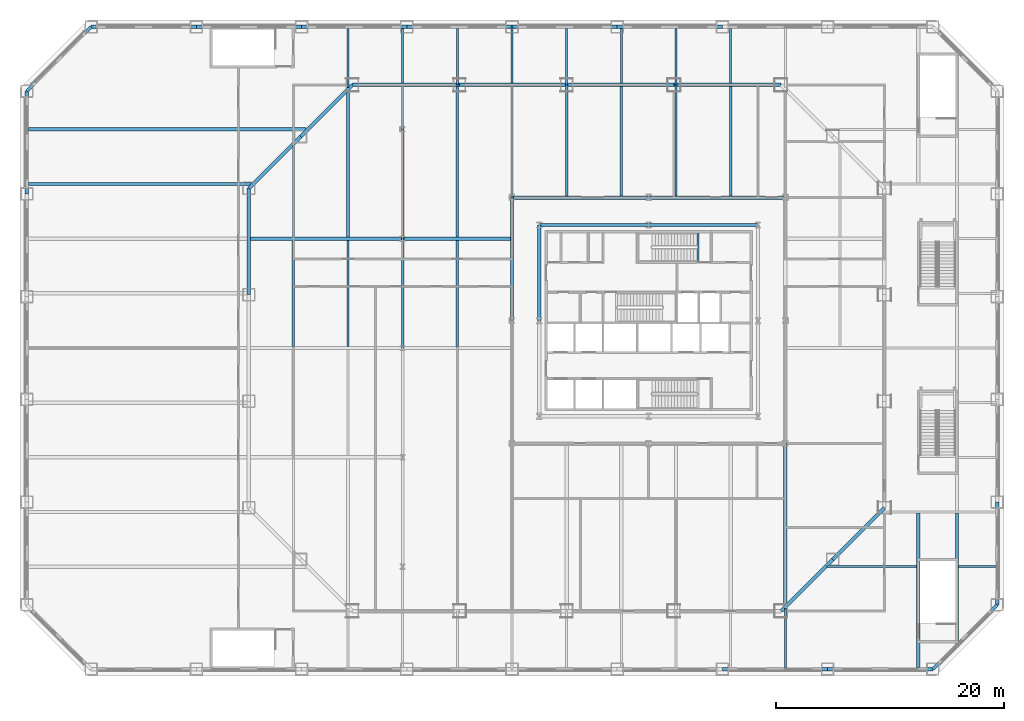
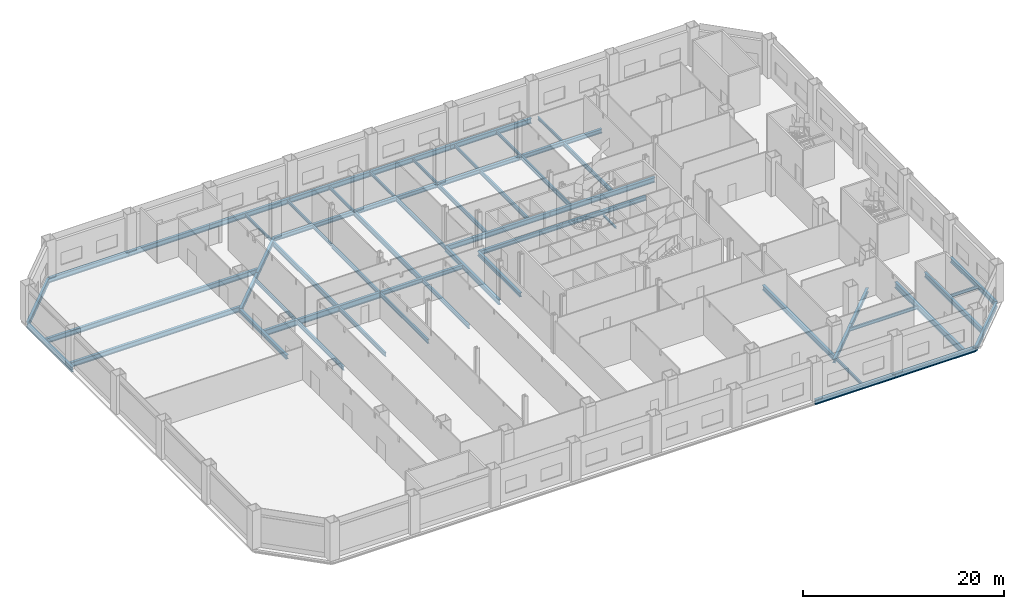
# One storey, part 6 of 22: 60 beams.
"""IFC4 building model written with IfcOpenShell, lengths in metres."""

from ifc_helpers import new_model, si_unit, direction, frame, origin, origin_2d, place, context, subcontext, project, spatial, i_section, extrude, material, material_profile, profile_set, type_object, element, save


model = new_model("IFC4")

# Units and contexts
model_context = context("Model", 3, precision=1e-05, world=origin(), true_north=direction((0.0, 1.0)))
body_context = subcontext(model_context, "Body", "Model", "MODEL_VIEW")
ifc_project = project(units=[si_unit("LENGTHUNIT", "METRE"), si_unit("AREAUNIT", "SQUARE_METRE"), si_unit("VOLUMEUNIT", "CUBIC_METRE"), si_unit("PLANEANGLEUNIT", "RADIAN"), si_unit("MASSUNIT", "GRAM", prefix="KILO")], contexts=[model_context])

# Site, building, storey
site_placement = place(None, origin())
site = spatial("IfcSite", under=ifc_project, at=site_placement, CompositionType="ELEMENT")
building_placement = place(site_placement, origin())
building = spatial("IfcBuilding", under=site, at=building_placement, Name="Cairn Pilgrim Tower", CompositionType="ELEMENT")
storey_placement = place(building_placement, frame((0.0, 0.0, 35.39990234375)))
storey = spatial("IfcBuildingStorey", under=building, at=storey_placement, Name="L06", CompositionType="ELEMENT", Elevation=35.39990234375)

# Beams
ifc_material = material(Name="Structural steel S355J2", Category="steel")
ifc_material_profile_1 = material_profile(ifc_material, i_section(OverallWidth=0.300048828125, OverallDepth=0.60009765625, WebThickness=0.015380859375, FlangeThickness=0.030029296875, FilletRadius=0.027099609375, at=origin_2d()), Name="HEB 600")
ifc_profile_set_1 = profile_set([ifc_material_profile_1], Name="Structural steel S355J2")
beam_type_1 = type_object("IfcBeamType", Name="PODIUM BEAM HE 600 B", PredefinedType="BEAM", material=ifc_profile_set_1)
beam_1_placement = place(storey_placement, frame((19.199951171875, -22.5751953125, -0.5), z_axis=(0.0, 1.0, 0.0), x_axis=(-1.0, 0.0, 0.0)))
element("IfcBeam", 1, at=beam_1_placement, inside=storey, type_object=beam_type_1, Name="PODIUM BEAM PB-HE600B", PredefinedType="BEAM", context=body_context, shape_type="SweptSolid", body=[
    extrude(i_section(OverallWidth=0.300048828125, OverallDepth=0.60009765625, WebThickness=0.015380859375, FlangeThickness=0.030029296875, FilletRadius=0.027099609375, at=origin_2d()), origin(), (0.0, 0.0, 1.0), 14.17529296875),
])
beam_2_placement = place(storey_placement, frame((-47.248046875, 14.39990234375, -0.5), z_axis=(1.0, 0.0, 0.0), x_axis=(0.0, 1.0, 0.0)))
element("IfcBeam", 2, at=beam_2_placement, inside=storey, type_object=beam_type_1, Name="PODIUM BEAM PB-HE600B", PredefinedType="BEAM", context=body_context, shape_type="SweptSolid", body=[
    extrude(i_section(OverallWidth=0.300048828125, OverallDepth=0.60009765625, WebThickness=0.015380859375, FlangeThickness=0.030029296875, FilletRadius=0.027099609375, at=origin_2d()), origin(), (0.0, 0.0, 1.0), 19.56884765625),
])
beam_3_placement = place(storey_placement, frame((-47.248046875, 19.199951171875, -0.5), z_axis=(1.0, 0.0, 0.0), x_axis=(0.0, 1.0, 0.0)))
element("IfcBeam", 3, at=beam_3_placement, inside=storey, type_object=beam_type_1, Name="PODIUM BEAM PB-HE600B", PredefinedType="BEAM", context=body_context, shape_type="SweptSolid", body=[
    extrude(i_section(OverallWidth=0.300048828125, OverallDepth=0.60009765625, WebThickness=0.015380859375, FlangeThickness=0.030029296875, FilletRadius=0.027099609375, at=origin_2d()), origin(), (0.0, 0.0, 1.0), 24.368896484375),
])
ifc_material_profile_2 = material_profile(ifc_material, i_section(OverallWidth=0.169921875, OverallDepth=0.360107421875, WebThickness=0.008056640625, FlangeThickness=0.0126953125, FilletRadius=0.01806640625, at=origin_2d()), Name="IPE 360")
ifc_profile_set_2 = profile_set([ifc_material_profile_2], Name="Structural steel S355J2")
beam_type_2 = type_object("IfcBeamType", Name="PODIUM BEAM IPE 360", PredefinedType="BEAM", material=ifc_profile_set_2)
beam_4_placement = place(storey_placement, frame((-14.39990234375, 19.199951171875, -0.3798828125), z_axis=(0.0, 1.0, 0.0), x_axis=(-1.0, 0.0, 0.0)))
element("IfcBeam", 4, at=beam_4_placement, inside=storey, type_object=beam_type_2, Name="PODIUM BEAM PB-IPE360", PredefinedType="BEAM", context=body_context, shape_type="SweptSolid", body=[
    extrude(i_section(OverallWidth=0.169921875, OverallDepth=0.360107421875, WebThickness=0.008056640625, FlangeThickness=0.0126953125, FilletRadius=0.01806640625, at=origin_2d()), origin(), (0.0, 0.0, 1.0), 3.748046875),
])
beam_5_placement = place(storey_placement, frame((34.422119140625, -19.199951171875, -0.3798828125), z_axis=(1.0, 0.0, 0.0), x_axis=(0.0, 1.0, 0.0)))
element("IfcBeam", 5, at=beam_5_placement, inside=storey, type_object=beam_type_2, Name="PODIUM BEAM PB-IPE360", PredefinedType="BEAM", context=body_context, shape_type="SweptSolid", body=[
    extrude(i_section(OverallWidth=0.169921875, OverallDepth=0.360107421875, WebThickness=0.008056640625, FlangeThickness=0.0126953125, FilletRadius=0.01806640625, at=origin_2d()), origin(), (0.0, 0.0, 1.0), 3.225830078125),
])
beam_6_placement = place(storey_placement, frame((-19.199951171875, 22.879150390625, -0.3798828125), z_axis=(0.0, 1.0, 0.0), x_axis=(-1.0, 0.0, 0.0)))
element("IfcBeam", 6, at=beam_6_placement, inside=storey, type_object=beam_type_2, Name="PODIUM BEAM PB-IPE360", PredefinedType="BEAM", context=body_context, shape_type="SweptSolid", body=[
    extrude(i_section(OverallWidth=0.169921875, OverallDepth=0.360107421875, WebThickness=0.008056640625, FlangeThickness=0.0126953125, FilletRadius=0.01806640625, at=origin_2d()), origin(), (0.0, 0.0, 1.0), 5.1689453125),
])
beam_7_placement = place(storey_placement, frame((-14.39990234375, 23.251953125, -0.3798828125), z_axis=(0.0, 1.0, 0.0), x_axis=(-1.0, 0.0, 0.0)))
element("IfcBeam", 7, at=beam_7_placement, inside=storey, type_object=beam_type_2, Name="PODIUM BEAM PB-IPE360", PredefinedType="BEAM", context=body_context, shape_type="SweptSolid", body=[
    extrude(i_section(OverallWidth=0.169921875, OverallDepth=0.360107421875, WebThickness=0.008056640625, FlangeThickness=0.0126953125, FilletRadius=0.01806640625, at=origin_2d()), origin(), (0.0, 0.0, 1.0), 4.796142578125),
])
for number, where, z_axis, x_axis, name in (
    (8, (-9.60009765625, 23.10009765625, -0.3798828125), (0.0, 1.0, 0.0), (-1.0, 0.0, 0.0), "PODIUM BEAM PB-IPE360"),
    (9, (-4.800048828125, 23.251953125, -0.3798828125), (0.0, 1.0, 0.0), (-1.0, 0.0, 0.0), "PODIUM BEAM PB-IPE360"),
    (10, (0.0, 23.10009765625, -0.3798828125), (0.0, 1.0, 0.0), (-1.0, 0.0, 0.0), "PODIUM BEAM PB-IPE360"),
):
    element("IfcBeam", number, at=place(storey_placement, frame(where, z_axis=z_axis, x_axis=x_axis)), inside=storey, type_object=beam_type_2, Name=name, PredefinedType="BEAM", context=body_context, shape_type="SweptSolid", body=[
        extrude(i_section(OverallWidth=0.169921875, OverallDepth=0.360107421875, WebThickness=0.008056640625, FlangeThickness=0.0126953125, FilletRadius=0.01806640625, at=origin_2d()), origin(), (0.0, 0.0, 1.0), 4.947998046875),
    ])
beam_8_placement = place(storey_placement, frame((4.800048828125, 23.251953125, -0.3798828125), z_axis=(0.0, 1.0, 0.0), x_axis=(-1.0, 0.0, 0.0)))
element("IfcBeam", 11, at=beam_8_placement, inside=storey, type_object=beam_type_2, Name="PODIUM BEAM PB-IPE360", PredefinedType="BEAM", context=body_context, shape_type="SweptSolid", body=[
    extrude(i_section(OverallWidth=0.169921875, OverallDepth=0.360107421875, WebThickness=0.008056640625, FlangeThickness=0.0126953125, FilletRadius=0.01806640625, at=origin_2d()), origin(), (0.0, 0.0, 1.0), 4.796142578125),
])
beam_9_placement = place(storey_placement, frame((9.60009765625, 23.10009765625, -0.3798828125), z_axis=(0.0, 1.0, 0.0), x_axis=(-1.0, 0.0, 0.0)))
element("IfcBeam", 12, at=beam_9_placement, inside=storey, type_object=beam_type_2, Name="PODIUM BEAM PB-IPE360", PredefinedType="BEAM", context=body_context, shape_type="SweptSolid", body=[
    extrude(i_section(OverallWidth=0.169921875, OverallDepth=0.360107421875, WebThickness=0.008056640625, FlangeThickness=0.0126953125, FilletRadius=0.01806640625, at=origin_2d()), origin(), (0.0, 0.0, 1.0), 4.947998046875),
])
beam_10_placement = place(storey_placement, frame((14.39990234375, 23.251953125, -0.3798828125), z_axis=(0.0, 1.0, 0.0), x_axis=(-1.0, 0.0, 0.0)))
element("IfcBeam", 13, at=beam_10_placement, inside=storey, type_object=beam_type_2, Name="PODIUM BEAM PB-IPE360", PredefinedType="BEAM", context=body_context, shape_type="SweptSolid", body=[
    extrude(i_section(OverallWidth=0.169921875, OverallDepth=0.360107421875, WebThickness=0.008056640625, FlangeThickness=0.0126953125, FilletRadius=0.01806640625, at=origin_2d()), origin(), (0.0, 0.0, 1.0), 4.796142578125),
])
beam_11_placement = place(storey_placement, frame((19.199951171875, -28.048095703125, -0.3798828125), z_axis=(0.0, 1.0, 0.0), x_axis=(-1.0, 0.0, 0.0)))
element("IfcBeam", 14, at=beam_11_placement, inside=storey, type_object=beam_type_2, Name="PODIUM BEAM PB-IPE360", PredefinedType="BEAM", context=body_context, shape_type="SweptSolid", body=[
    extrude(i_section(OverallWidth=0.169921875, OverallDepth=0.360107421875, WebThickness=0.008056640625, FlangeThickness=0.0126953125, FilletRadius=0.01806640625, at=origin_2d()), origin(), (0.0, 0.0, 1.0), 5.1689453125),
])
ifc_material_profile_3 = material_profile(ifc_material, i_section(OverallWidth=0.179931640625, OverallDepth=0.39990234375, WebThickness=0.008544921875, FlangeThickness=0.013427734375, FilletRadius=0.02099609375, at=origin_2d()), Name="IPE 400")
ifc_profile_set_3 = profile_set([ifc_material_profile_3], Name="Structural steel S355J2")
beam_type_3 = type_object("IfcBeamType", Name="PODIUM BEAM IPE 400", PredefinedType="BEAM", material=ifc_profile_set_3)
beam_12_placement = place(storey_placement, frame((-24.0, 9.751953125, -0.39990234375), z_axis=(0.0, 1.0, 0.0), x_axis=(-1.0, 0.0, 0.0)))
element("IfcBeam", 15, at=beam_12_placement, inside=storey, type_object=beam_type_3, Name="PODIUM BEAM PB-IPE400", PredefinedType="BEAM", context=body_context, shape_type="SweptSolid", body=[
    extrude(i_section(OverallWidth=0.179931640625, OverallDepth=0.39990234375, WebThickness=0.008544921875, FlangeThickness=0.013427734375, FilletRadius=0.02099609375, at=origin_2d()), origin(), (0.0, 0.0, 1.0), 8.023193359375),
])
beam_13_placement = place(storey_placement, frame((22.879150390625, -19.199951171875, -0.39990234375), z_axis=(1.0, 0.0, 0.0), x_axis=(0.0, 1.0, 0.0)))
element("IfcBeam", 16, at=beam_13_placement, inside=storey, type_object=beam_type_3, Name="PODIUM BEAM PB-IPE400", PredefinedType="BEAM", context=body_context, shape_type="SweptSolid", body=[
    extrude(i_section(OverallWidth=0.179931640625, OverallDepth=0.39990234375, WebThickness=0.008544921875, FlangeThickness=0.013427734375, FilletRadius=0.02099609375, at=origin_2d()), origin(), (0.0, 0.0, 1.0), 7.848876953125),
])
ifc_material_profile_4 = material_profile(ifc_material, i_section(OverallWidth=0.199951171875, OverallDepth=0.5, WebThickness=0.01025390625, FlangeThickness=0.01611328125, FilletRadius=0.02099609375, at=origin_2d()), Name="IPE 500")
ifc_profile_set_4 = profile_set([ifc_material_profile_4], Name="Structural steel S355J2")
beam_type_4 = type_object("IfcBeamType", Name="PODIUM BEAM IPE 500", PredefinedType="BEAM", material=ifc_profile_set_4)
for number, where, z_axis, x_axis, name in (
    (17, (-24.0, 0.152099609375, -0.449951171875), (0.0, 1.0, 0.0), (-1.0, 0.0, 0.0), "PODIUM BEAM PB-IPE500"),
    (18, (-19.199951171875, 0.152099609375, -0.449951171875), (0.0, 1.0, 0.0), (-1.0, 0.0, 0.0), "PODIUM BEAM PB-IPE500"),
):
    element("IfcBeam", number, at=place(storey_placement, frame(where, z_axis=z_axis, x_axis=x_axis)), inside=storey, type_object=beam_type_4, Name=name, PredefinedType="BEAM", context=body_context, shape_type="SweptSolid", body=[
        extrude(i_section(OverallWidth=0.199951171875, OverallDepth=0.5, WebThickness=0.01025390625, FlangeThickness=0.01611328125, FilletRadius=0.02099609375, at=origin_2d()), origin(), (0.0, 0.0, 1.0), 9.2958984375),
    ])
beam_14_placement = place(storey_placement, frame((-14.39990234375, 0.0, -0.449951171875), z_axis=(0.0, 1.0, 0.0), x_axis=(-1.0, 0.0, 0.0)))
element("IfcBeam", 19, at=beam_14_placement, inside=storey, type_object=beam_type_4, Name="PODIUM BEAM PB-IPE500", PredefinedType="BEAM", context=body_context, shape_type="SweptSolid", body=[
    extrude(i_section(OverallWidth=0.199951171875, OverallDepth=0.5, WebThickness=0.01025390625, FlangeThickness=0.01611328125, FilletRadius=0.02099609375, at=origin_2d()), origin(), (0.0, 0.0, 1.0), 9.60009765625),
])
beam_15_placement = place(storey_placement, frame((-14.39990234375, 9.60009765625, -0.449951171875), z_axis=(0.0, 1.0, 0.0), x_axis=(-1.0, 0.0, 0.0)))
element("IfcBeam", 20, at=beam_15_placement, inside=storey, type_object=beam_type_4, Name="PODIUM BEAM PB-IPE500", PredefinedType="BEAM", context=body_context, shape_type="SweptSolid", body=[
    extrude(i_section(OverallWidth=0.199951171875, OverallDepth=0.5, WebThickness=0.01025390625, FlangeThickness=0.01611328125, FilletRadius=0.02099609375, at=origin_2d()), origin(), (0.0, 0.0, 1.0), 9.599853515625),
])
beam_16_placement = place(storey_placement, frame((-9.60009765625, 0.152099609375, -0.449951171875), z_axis=(0.0, 1.0, 0.0), x_axis=(-1.0, 0.0, 0.0)))
element("IfcBeam", 21, at=beam_16_placement, inside=storey, type_object=beam_type_4, Name="PODIUM BEAM PB-IPE500", PredefinedType="BEAM", context=body_context, shape_type="SweptSolid", body=[
    extrude(i_section(OverallWidth=0.199951171875, OverallDepth=0.5, WebThickness=0.01025390625, FlangeThickness=0.01611328125, FilletRadius=0.02099609375, at=origin_2d()), origin(), (0.0, 0.0, 1.0), 9.2958984375),
])
for number, where, z_axis, x_axis, name in (
    (22, (-4.800048828125, 13.199951171875, -0.449951171875), (0.0, 1.0, 0.0), (-1.0, 0.0, 0.0), "PODIUM BEAM PB-IPE500"),
    (23, (0.0, 13.35205078125, -0.449951171875), (0.0, 1.0, 0.0), (-1.0, 0.0, 0.0), "PODIUM BEAM PB-IPE500"),
):
    element("IfcBeam", number, at=place(storey_placement, frame(where, z_axis=z_axis, x_axis=x_axis)), inside=storey, type_object=beam_type_4, Name=name, PredefinedType="BEAM", context=body_context, shape_type="SweptSolid", body=[
        extrude(i_section(OverallWidth=0.199951171875, OverallDepth=0.5, WebThickness=0.01025390625, FlangeThickness=0.01611328125, FilletRadius=0.02099609375, at=origin_2d()), origin(), (0.0, 0.0, 1.0), 9.748046875),
    ])
beam_17_placement = place(storey_placement, frame((4.800048828125, 13.35205078125, -0.449951171875), z_axis=(0.0, 1.0, 0.0), x_axis=(-1.0, 0.0, 0.0)))
element("IfcBeam", 24, at=beam_17_placement, inside=storey, type_object=beam_type_4, Name="PODIUM BEAM PB-IPE500", PredefinedType="BEAM", context=body_context, shape_type="SweptSolid", body=[
    extrude(i_section(OverallWidth=0.199951171875, OverallDepth=0.5, WebThickness=0.01025390625, FlangeThickness=0.01611328125, FilletRadius=0.02099609375, at=origin_2d()), origin(), (0.0, 0.0, 1.0), 9.595947265625),
])
beam_18_placement = place(storey_placement, frame((9.60009765625, 13.35205078125, -0.449951171875), z_axis=(0.0, 1.0, 0.0), x_axis=(-1.0, 0.0, 0.0)))
element("IfcBeam", 25, at=beam_18_placement, inside=storey, type_object=beam_type_4, Name="PODIUM BEAM PB-IPE500", PredefinedType="BEAM", context=body_context, shape_type="SweptSolid", body=[
    extrude(i_section(OverallWidth=0.199951171875, OverallDepth=0.5, WebThickness=0.01025390625, FlangeThickness=0.01611328125, FilletRadius=0.02099609375, at=origin_2d()), origin(), (0.0, 0.0, 1.0), 9.748046875),
])
beam_19_placement = place(storey_placement, frame((14.39990234375, 13.35205078125, -0.449951171875), z_axis=(0.0, 1.0, 0.0), x_axis=(-1.0, 0.0, 0.0)))
element("IfcBeam", 26, at=beam_19_placement, inside=storey, type_object=beam_type_4, Name="PODIUM BEAM PB-IPE500", PredefinedType="BEAM", context=body_context, shape_type="SweptSolid", body=[
    extrude(i_section(OverallWidth=0.199951171875, OverallDepth=0.5, WebThickness=0.01025390625, FlangeThickness=0.01611328125, FilletRadius=0.02099609375, at=origin_2d()), origin(), (0.0, 0.0, 1.0), 9.595947265625),
])
ifc_material_profile_5 = material_profile(ifc_material, i_section(OverallWidth=0.219970703125, OverallDepth=0.60009765625, WebThickness=0.011962890625, FlangeThickness=0.01904296875, FilletRadius=0.02392578125, at=origin_2d()), Name="IPE 600")
ifc_profile_set_5 = profile_set([ifc_material_profile_5], Name="Structural steel S355J2")
beam_type_5 = type_object("IfcBeamType", Name="PODIUM BEAM IPE 600", PredefinedType="BEAM", material=ifc_profile_set_5)
beam_20_placement = place(storey_placement, frame((-19.199951171875, 9.751953125, -0.5), z_axis=(0.0, 1.0, 0.0), x_axis=(-1.0, 0.0, 0.0)))
element("IfcBeam", 27, at=beam_20_placement, inside=storey, type_object=beam_type_5, Name="PODIUM BEAM PB-IPE600", PredefinedType="BEAM", context=body_context, shape_type="SweptSolid", body=[
    extrude(i_section(OverallWidth=0.219970703125, OverallDepth=0.60009765625, WebThickness=0.011962890625, FlangeThickness=0.01904296875, FilletRadius=0.02392578125, at=origin_2d()), origin(), (0.0, 0.0, 1.0), 12.8232421875),
])
beam_21_placement = place(storey_placement, frame((-9.60009765625, 9.751953125, -0.5), z_axis=(0.0, 1.0, 0.0), x_axis=(-1.0, 0.0, 0.0)))
element("IfcBeam", 28, at=beam_21_placement, inside=storey, type_object=beam_type_5, Name="PODIUM BEAM PB-IPE600", PredefinedType="BEAM", context=body_context, shape_type="SweptSolid", body=[
    extrude(i_section(OverallWidth=0.219970703125, OverallDepth=0.60009765625, WebThickness=0.011962890625, FlangeThickness=0.01904296875, FilletRadius=0.02392578125, at=origin_2d()), origin(), (0.0, 0.0, 1.0), 13.34814453125),
])
ifc_material_profile_6 = material_profile(ifc_material, i_section(OverallWidth=0.300048828125, OverallDepth=0.60009765625, WebThickness=0.015380859375, FlangeThickness=0.030029296875, FilletRadius=0.027099609375, at=origin_2d()), Name="HEB 600")
ifc_profile_set_6 = profile_set([ifc_material_profile_6], Name="Structural steel S355J2")
beam_type_6 = type_object("IfcBeamType", Name="PODIUM EDGE GIRDER HE 600 B", PredefinedType="BEAM", material=ifc_profile_set_6)
beam_22_placement = place(storey_placement, frame((13.67578125, -28.199951171875, -0.5), z_axis=(1.0, 0.0, 0.0), x_axis=(0.0, 1.0, 0.0)))
element("IfcBeam", 29, at=beam_22_placement, inside=storey, type_object=beam_type_6, Name="PODIUM EDGE GIRDER PE-HE600B", PredefinedType="BEAM", context=body_context, shape_type="SweptSolid", body=[
    extrude(i_section(OverallWidth=0.300048828125, OverallDepth=0.60009765625, WebThickness=0.015380859375, FlangeThickness=0.030029296875, FilletRadius=0.027099609375, at=origin_2d()), origin(), (0.0, 0.0, 1.0), 9.23779296875),
])
beam_23_placement = place(storey_placement, frame((22.91357421875, -28.199951171875, -0.5), z_axis=(1.0, 0.0, 0.0), x_axis=(0.0, 1.0, 0.0)))
element("IfcBeam", 30, at=beam_23_placement, inside=storey, type_object=beam_type_6, Name="PODIUM EDGE GIRDER PE-HE600B", PredefinedType="BEAM", context=body_context, shape_type="SweptSolid", body=[
    extrude(i_section(OverallWidth=0.300048828125, OverallDepth=0.60009765625, WebThickness=0.015380859375, FlangeThickness=0.030029296875, FilletRadius=0.027099609375, at=origin_2d()), origin(), (0.0, 0.0, 1.0), 9.238037109375),
])
beam_24_placement = place(storey_placement, frame((32.151611328125, -28.199951171875, -0.5), z_axis=(0.707106781187, 0.707106781187, 0.0), x_axis=(-0.707106781187, 0.707106781187, 0.0)))
element("IfcBeam", 31, at=beam_24_placement, inside=storey, type_object=beam_type_6, Name="PODIUM EDGE GIRDER PE-HE600B", PredefinedType="BEAM", context=body_context, shape_type="SweptSolid", body=[
    extrude(i_section(OverallWidth=0.300048828125, OverallDepth=0.60009765625, WebThickness=0.015380859375, FlangeThickness=0.030029296875, FilletRadius=0.027099609375, at=origin_2d()), origin(), (0.0, 0.0, 1.0), 7.988037109375),
])
beam_25_placement = place(storey_placement, frame((37.800048828125, -22.551513671875, -0.5), z_axis=(0.0, 1.0, 0.0), x_axis=(-1.0, 0.0, 0.0)))
element("IfcBeam", 32, at=beam_25_placement, inside=storey, type_object=beam_type_6, Name="PODIUM EDGE GIRDER PE-HE600B", PredefinedType="BEAM", context=body_context, shape_type="SweptSolid", body=[
    extrude(i_section(OverallWidth=0.300048828125, OverallDepth=0.60009765625, WebThickness=0.015380859375, FlangeThickness=0.030029296875, FilletRadius=0.027099609375, at=origin_2d()), origin(), (0.0, 0.0, 1.0), 9.0205078125),
])
beam_26_placement = place(storey_placement, frame((13.67578125, 28.199951171875, -0.5), z_axis=(-1.0, 0.0, 0.0), x_axis=(0.0, -1.0, 0.0)))
element("IfcBeam", 33, at=beam_26_placement, inside=storey, type_object=beam_type_6, Name="PODIUM EDGE GIRDER PE-HE600B", PredefinedType="BEAM", context=body_context, shape_type="SweptSolid", body=[
    extrude(i_section(OverallWidth=0.300048828125, OverallDepth=0.60009765625, WebThickness=0.015380859375, FlangeThickness=0.030029296875, FilletRadius=0.027099609375, at=origin_2d()), origin(), (0.0, 0.0, 1.0), 9.23779296875),
])
beam_27_placement = place(storey_placement, frame((4.43798828125, 28.199951171875, -0.5), z_axis=(-1.0, 0.0, 0.0), x_axis=(0.0, -1.0, 0.0)))
element("IfcBeam", 34, at=beam_27_placement, inside=storey, type_object=beam_type_6, Name="PODIUM EDGE GIRDER PE-HE600B", PredefinedType="BEAM", context=body_context, shape_type="SweptSolid", body=[
    extrude(i_section(OverallWidth=0.300048828125, OverallDepth=0.60009765625, WebThickness=0.015380859375, FlangeThickness=0.030029296875, FilletRadius=0.027099609375, at=origin_2d()), origin(), (0.0, 0.0, 1.0), 9.238037109375),
])
for number, where, z_axis, x_axis, name in (
    (35, (-4.800048828125, 28.199951171875, -0.5), (-1.0, 0.0, 0.0), (0.0, -1.0, 0.0), "PODIUM EDGE GIRDER PE-HE600B"),
    (36, (-14.037841796875, 28.199951171875, -0.5), (-1.0, 0.0, 0.0), (0.0, -1.0, 0.0), "PODIUM EDGE GIRDER PE-HE600B"),
):
    element("IfcBeam", number, at=place(storey_placement, frame(where, z_axis=z_axis, x_axis=x_axis)), inside=storey, type_object=beam_type_6, Name=name, PredefinedType="BEAM", context=body_context, shape_type="SweptSolid", body=[
        extrude(i_section(OverallWidth=0.300048828125, OverallDepth=0.60009765625, WebThickness=0.015380859375, FlangeThickness=0.030029296875, FilletRadius=0.027099609375, at=origin_2d()), origin(), (0.0, 0.0, 1.0), 9.23779296875),
    ])
beam_28_placement = place(storey_placement, frame((-23.275634765625, 28.199951171875, -0.5), z_axis=(-1.0, 0.0, 0.0), x_axis=(0.0, -1.0, 0.0)))
element("IfcBeam", 37, at=beam_28_placement, inside=storey, type_object=beam_type_6, Name="PODIUM EDGE GIRDER PE-HE600B", PredefinedType="BEAM", context=body_context, shape_type="SweptSolid", body=[
    extrude(i_section(OverallWidth=0.300048828125, OverallDepth=0.60009765625, WebThickness=0.015380859375, FlangeThickness=0.030029296875, FilletRadius=0.027099609375, at=origin_2d()), origin(), (0.0, 0.0, 1.0), 9.238037109375),
])
beam_29_placement = place(storey_placement, frame((-32.513671875, 28.199951171875, -0.5), z_axis=(-1.0, 0.0, 0.0), x_axis=(0.0, -1.0, 0.0)))
element("IfcBeam", 38, at=beam_29_placement, inside=storey, type_object=beam_type_6, Name="PODIUM EDGE GIRDER PE-HE600B", PredefinedType="BEAM", context=body_context, shape_type="SweptSolid", body=[
    extrude(i_section(OverallWidth=0.300048828125, OverallDepth=0.60009765625, WebThickness=0.015380859375, FlangeThickness=0.030029296875, FilletRadius=0.027099609375, at=origin_2d()), origin(), (0.0, 0.0, 1.0), 9.23779296875),
])
beam_30_placement = place(storey_placement, frame((-41.75146484375, 28.199951171875, -0.5), z_axis=(-0.707106781187, -0.707106781187, 0.0), x_axis=(0.707106781187, -0.707106781187, 0.0)))
element("IfcBeam", 39, at=beam_30_placement, inside=storey, type_object=beam_type_6, Name="PODIUM EDGE GIRDER PE-HE600B", PredefinedType="BEAM", context=body_context, shape_type="SweptSolid", body=[
    extrude(i_section(OverallWidth=0.300048828125, OverallDepth=0.60009765625, WebThickness=0.015380859375, FlangeThickness=0.030029296875, FilletRadius=0.027099609375, at=origin_2d()), origin(), (0.0, 0.0, 1.0), 7.988037109375),
])
beam_31_placement = place(storey_placement, frame((-47.39990234375, 22.551513671875, -0.5), z_axis=(0.0, -1.0, 0.0), x_axis=(1.0, 0.0, 0.0)))
element("IfcBeam", 40, at=beam_31_placement, inside=storey, type_object=beam_type_6, Name="PODIUM EDGE GIRDER PE-HE600B", PredefinedType="BEAM", context=body_context, shape_type="SweptSolid", body=[
    extrude(i_section(OverallWidth=0.300048828125, OverallDepth=0.60009765625, WebThickness=0.015380859375, FlangeThickness=0.030029296875, FilletRadius=0.027099609375, at=origin_2d()), origin(), (0.0, 0.0, 1.0), 9.0205078125),
])
ifc_material_profile_7 = material_profile(ifc_material, i_section(OverallWidth=0.300048828125, OverallDepth=0.5, WebThickness=0.014404296875, FlangeThickness=0.028076171875, FilletRadius=0.027099609375, at=origin_2d()), Name="HEB 500")
ifc_profile_set_7 = profile_set([ifc_material_profile_7], Name="Structural steel S355J2")
beam_type_7 = type_object("IfcBeamType", Name="PODIUM GIRDER HE 500 B", PredefinedType="BEAM", material=ifc_profile_set_7)
for number, where, z_axis, x_axis, name in (
    (41, (18.8271484375, -23.10009765625, -0.449951171875), (0.707106781187, 0.707106781187, 0.0), (-0.707106781187, 0.707106781187, 0.0), "PODIUM GIRDER PG-HE500B"),
    (42, (23.363525390625, -18.563720703125, -0.449951171875), (0.707087753759, 0.707125808102, 0.0), (-0.707125808102, 0.707087753759, 0.0), "PODIUM GIRDER PG-HE500B"),
):
    element("IfcBeam", number, at=place(storey_placement, frame(where, z_axis=z_axis, x_axis=x_axis)), inside=storey, type_object=beam_type_7, Name=name, PredefinedType="BEAM", context=body_context, shape_type="SweptSolid", body=[
        extrude(i_section(OverallWidth=0.300048828125, OverallDepth=0.5, WebThickness=0.014404296875, FlangeThickness=0.028076171875, FilletRadius=0.027099609375, at=origin_2d()), origin(), (0.0, 0.0, 1.0), 6.41552734375),
    ])
for number, where, z_axis, x_axis, name in (
    (43, (18.8271484375, 23.10009765625, -0.449951171875), (-1.0, 0.0, 0.0), (0.0, -1.0, 0.0), "PODIUM GIRDER PG-HE500B"),
    (44, (9.41357421875, 23.10009765625, -0.449951171875), (-1.0, 0.0, 0.0), (0.0, -1.0, 0.0), "PODIUM GIRDER PG-HE500B"),
    (45, (0.0, 23.10009765625, -0.449951171875), (-1.0, 0.0, 0.0), (0.0, -1.0, 0.0), "PODIUM GIRDER PG-HE500B"),
    (46, (-9.41357421875, 23.10009765625, -0.449951171875), (-1.0, 0.0, 0.0), (0.0, -1.0, 0.0), "PODIUM GIRDER PG-HE500B"),
):
    element("IfcBeam", number, at=place(storey_placement, frame(where, z_axis=z_axis, x_axis=x_axis)), inside=storey, type_object=beam_type_7, Name=name, PredefinedType="BEAM", context=body_context, shape_type="SweptSolid", body=[
        extrude(i_section(OverallWidth=0.300048828125, OverallDepth=0.5, WebThickness=0.014404296875, FlangeThickness=0.028076171875, FilletRadius=0.027099609375, at=origin_2d()), origin(), (0.0, 0.0, 1.0), 9.41357421875),
    ])
for number, where, z_axis, x_axis, name in (
    (47, (-18.8271484375, 23.10009765625, -0.449951171875), (-0.707106781187, -0.707106781187, 0.0), (0.707106781187, -0.707106781187, 0.0), "PODIUM GIRDER PG-HE500B"),
    (48, (-23.363525390625, 18.563720703125, -0.449951171875), (-0.707087753759, -0.707125808102, 0.0), (0.707125808102, -0.707087753759, 0.0), "PODIUM GIRDER PG-HE500B"),
):
    element("IfcBeam", number, at=place(storey_placement, frame(where, z_axis=z_axis, x_axis=x_axis)), inside=storey, type_object=beam_type_7, Name=name, PredefinedType="BEAM", context=body_context, shape_type="SweptSolid", body=[
        extrude(i_section(OverallWidth=0.300048828125, OverallDepth=0.5, WebThickness=0.014404296875, FlangeThickness=0.028076171875, FilletRadius=0.027099609375, at=origin_2d()), origin(), (0.0, 0.0, 1.0), 6.41552734375),
    ])
beam_32_placement = place(storey_placement, frame((-27.89990234375, 14.027099609375, -0.449951171875), z_axis=(0.0, -1.0, 0.0), x_axis=(1.0, 0.0, 0.0)))
element("IfcBeam", 49, at=beam_32_placement, inside=storey, type_object=beam_type_7, Name="PODIUM GIRDER PG-HE500B", PredefinedType="BEAM", context=body_context, shape_type="SweptSolid", body=[
    extrude(i_section(OverallWidth=0.300048828125, OverallDepth=0.5, WebThickness=0.014404296875, FlangeThickness=0.028076171875, FilletRadius=0.027099609375, at=origin_2d()), origin(), (0.0, 0.0, 1.0), 9.351318359375),
])
beam_33_placement = place(storey_placement, frame((16.800048828125, 10.800048828125, -0.449951171875), z_axis=(-1.0, 0.0, 0.0), x_axis=(0.0, -1.0, 0.0)))
element("IfcBeam", 50, at=beam_33_placement, inside=storey, type_object=beam_type_7, Name="PODIUM GIRDER PG-HE500B", PredefinedType="BEAM", context=body_context, shape_type="SweptSolid", body=[
    extrude(i_section(OverallWidth=0.300048828125, OverallDepth=0.5, WebThickness=0.014404296875, FlangeThickness=0.028076171875, FilletRadius=0.027099609375, at=origin_2d()), origin(), (0.0, 0.0, 1.0), 9.60009765625),
])
beam_34_placement = place(storey_placement, frame((7.199951171875, 10.800048828125, -0.449951171875), z_axis=(-1.0, 0.0, 0.0), x_axis=(0.0, -1.0, 0.0)))
element("IfcBeam", 51, at=beam_34_placement, inside=storey, type_object=beam_type_7, Name="PODIUM GIRDER PG-HE500B", PredefinedType="BEAM", context=body_context, shape_type="SweptSolid", body=[
    extrude(i_section(OverallWidth=0.300048828125, OverallDepth=0.5, WebThickness=0.014404296875, FlangeThickness=0.028076171875, FilletRadius=0.027099609375, at=origin_2d()), origin(), (0.0, 0.0, 1.0), 9.599853515625),
])
beam_35_placement = place(storey_placement, frame((-2.39990234375, 10.800048828125, -0.449951171875), z_axis=(0.0, -1.0, 0.0), x_axis=(1.0, 0.0, 0.0)))
element("IfcBeam", 52, at=beam_35_placement, inside=storey, type_object=beam_type_7, Name="PODIUM GIRDER PG-HE500B", PredefinedType="BEAM", context=body_context, shape_type="SweptSolid", body=[
    extrude(i_section(OverallWidth=0.300048828125, OverallDepth=0.5, WebThickness=0.014404296875, FlangeThickness=0.028076171875, FilletRadius=0.027099609375, at=origin_2d()), origin(), (0.0, 0.0, 1.0), 8.400146484375),
])
beam_36_placement = place(storey_placement, frame((-14.39990234375, 9.60009765625, -0.449951171875), z_axis=(1.0, 0.0, 0.0), x_axis=(0.0, 1.0, 0.0)))
element("IfcBeam", 53, at=beam_36_placement, inside=storey, type_object=beam_type_7, Name="PODIUM GIRDER PG-HE500B", PredefinedType="BEAM", context=body_context, shape_type="SweptSolid", body=[
    extrude(i_section(OverallWidth=0.300048828125, OverallDepth=0.5, WebThickness=0.014404296875, FlangeThickness=0.028076171875, FilletRadius=0.027099609375, at=origin_2d()), origin(), (0.0, 0.0, 1.0), 9.447998046875),
])
ifc_material_profile_8 = material_profile(ifc_material, i_section(OverallWidth=0.300048828125, OverallDepth=0.60009765625, WebThickness=0.015380859375, FlangeThickness=0.030029296875, FilletRadius=0.027099609375, at=origin_2d()), Name="HEB 600")
ifc_profile_set_8 = profile_set([ifc_material_profile_8], Name="Structural steel S355J2")
beam_type_8 = type_object("IfcBeamType", Name="PODIUM GIRDER HE 600 B", PredefinedType="BEAM", material=ifc_profile_set_8)
for number, where, z_axis, x_axis, name in (
    (54, (19.199951171875, 13.199951171875, -0.5), (-1.0, 0.0, 0.0), (0.0, -1.0, 0.0), "PODIUM GIRDER PG-HE600B"),
    (55, (7.199951171875, 13.199951171875, -0.5), (-1.0, 0.0, 0.0), (0.0, -1.0, 0.0), "PODIUM GIRDER PG-HE600B"),
):
    element("IfcBeam", number, at=place(storey_placement, frame(where, z_axis=z_axis, x_axis=x_axis)), inside=storey, type_object=beam_type_8, Name=name, PredefinedType="BEAM", context=body_context, shape_type="SweptSolid", body=[
        extrude(i_section(OverallWidth=0.300048828125, OverallDepth=0.60009765625, WebThickness=0.015380859375, FlangeThickness=0.030029296875, FilletRadius=0.027099609375, at=origin_2d()), origin(), (0.0, 0.0, 1.0), 12.0),
    ])
beam_37_placement = place(storey_placement, frame((-4.800048828125, 13.199951171875, -0.5), z_axis=(0.0, -1.0, 0.0), x_axis=(1.0, 0.0, 0.0)))
element("IfcBeam", 56, at=beam_37_placement, inside=storey, type_object=beam_type_8, Name="PODIUM GIRDER PG-HE600B", PredefinedType="BEAM", context=body_context, shape_type="SweptSolid", body=[
    extrude(i_section(OverallWidth=0.300048828125, OverallDepth=0.60009765625, WebThickness=0.015380859375, FlangeThickness=0.030029296875, FilletRadius=0.027099609375, at=origin_2d()), origin(), (0.0, 0.0, 1.0), 10.800048828125),
])
beam_38_placement = place(storey_placement, frame((34.27001953125, -25.929443359375, -0.5), z_axis=(0.0, 1.0, 0.0), x_axis=(-1.0, 0.0, 0.0)))
element("IfcBeam", 57, at=beam_38_placement, inside=storey, type_object=beam_type_8, Name="PODIUM GIRDER PG-HE600B", PredefinedType="BEAM", context=body_context, shape_type="SweptSolid", body=[
    extrude(i_section(OverallWidth=0.300048828125, OverallDepth=0.60009765625, WebThickness=0.015380859375, FlangeThickness=0.030029296875, FilletRadius=0.027099609375, at=origin_2d()), origin(), (0.0, 0.0, 1.0), 11.427490234375),
])
ifc_material_profile_9 = material_profile(ifc_material, i_section(OverallWidth=0.300048828125, OverallDepth=0.699951171875, WebThickness=0.01708984375, FlangeThickness=0.031982421875, FilletRadius=0.027099609375, at=origin_2d()), Name="HEB 700")
ifc_profile_set_9 = profile_set([ifc_material_profile_9], Name="Structural steel S355J2")
beam_type_9 = type_object("IfcBeamType", Name="PODIUM GIRDER HE 700 B", PredefinedType="BEAM", material=ifc_profile_set_9)
beam_39_placement = place(storey_placement, frame((-27.748046875, 9.60009765625, -0.5498046875), z_axis=(1.0, 0.0, 0.0), x_axis=(0.0, 1.0, 0.0)))
element("IfcBeam", 58, at=beam_39_placement, inside=storey, type_object=beam_type_9, Name="PODIUM GIRDER PG-HE700B", PredefinedType="BEAM", context=body_context, shape_type="SweptSolid", body=[
    extrude(i_section(OverallWidth=0.300048828125, OverallDepth=0.699951171875, WebThickness=0.01708984375, FlangeThickness=0.031982421875, FilletRadius=0.027099609375, at=origin_2d()), origin(), (0.0, 0.0, 1.0), 13.34814453125),
])
beam_40_placement = place(storey_placement, frame((30.8798828125, -28.048095703125, -0.5498046875), z_axis=(0.0, 1.0, 0.0), x_axis=(-1.0, 0.0, 0.0)))
element("IfcBeam", 59, at=beam_40_placement, inside=storey, type_object=beam_type_9, Name="PODIUM GIRDER PG-HE700B", PredefinedType="BEAM", context=body_context, shape_type="SweptSolid", body=[
    extrude(i_section(OverallWidth=0.300048828125, OverallDepth=0.699951171875, WebThickness=0.01708984375, FlangeThickness=0.031982421875, FilletRadius=0.027099609375, at=origin_2d()), origin(), (0.0, 0.0, 1.0), 13.546142578125),
])
ifc_material_profile_10 = material_profile(ifc_material, i_section(OverallWidth=0.199951171875, OverallDepth=0.199951171875, WebThickness=0.009033203125, FlangeThickness=0.014892578125, FilletRadius=0.01806640625, at=origin_2d()), Name="HE 200 B")
ifc_profile_set_10 = profile_set([ifc_material_profile_10], Name="Structural steel S355J2")
beam_type_10 = type_object("IfcBeamType", Name="STAIR LANDING BEAM HE 200 B", PredefinedType="BEAM", material=ifc_profile_set_10)
beam_41_placement = place(storey_placement, frame((11.5244140625, 10.10009765625, -0.2998046875), z_axis=(0.0, -1.0, 0.0), x_axis=(1.0, 0.0, 0.0)))
element("IfcBeam", 60, at=beam_41_placement, inside=storey, type_object=beam_type_10, Name="STAIR LANDING BEAM LD-HE200B", PredefinedType="BEAM", context=body_context, shape_type="SweptSolid", body=[
    extrude(i_section(OverallWidth=0.199951171875, OverallDepth=0.199951171875, WebThickness=0.009033203125, FlangeThickness=0.014892578125, FilletRadius=0.01806640625, at=origin_2d()), origin(), (0.0, 0.0, 1.0), 2.525146484375),
])

save(model, "model.ifc")
